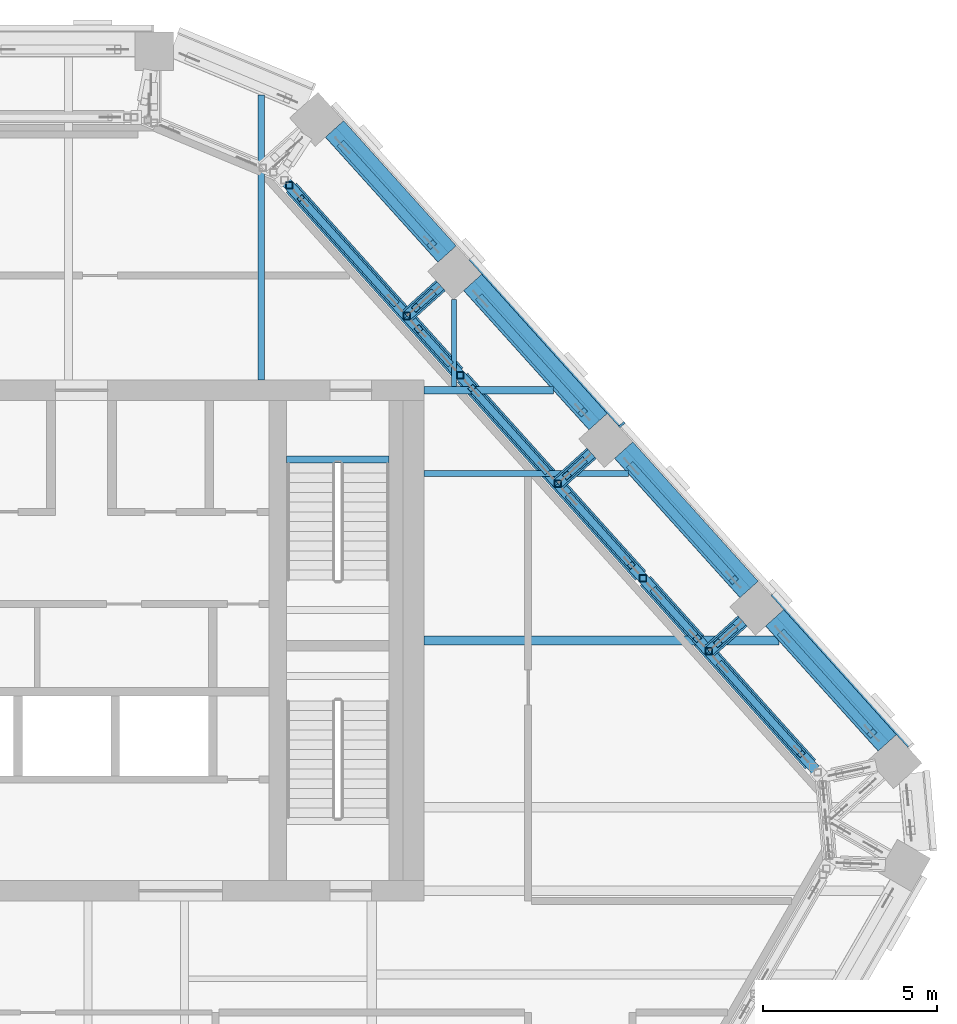
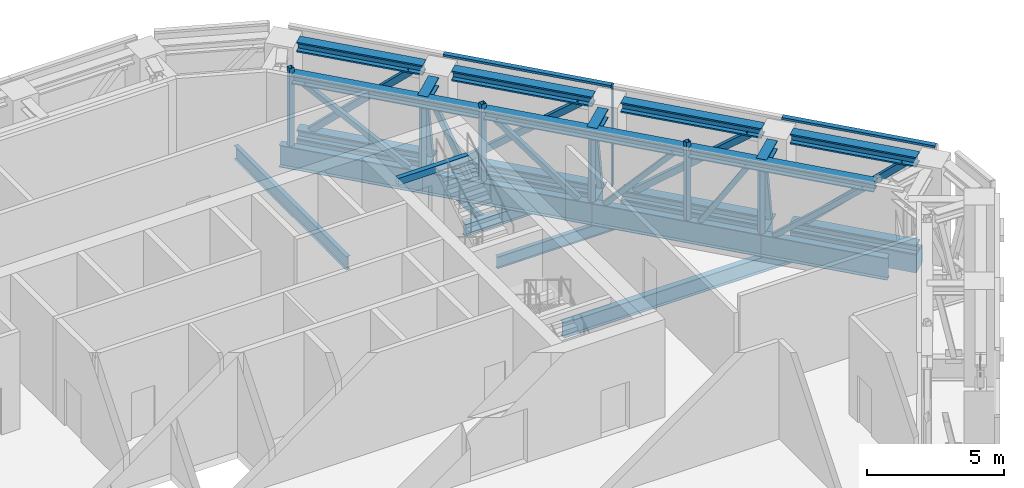
# One storey, part 14 of 25: 43 members, 10 beams, 1 element without a shape of its own.
"""IFC4 building model written with IfcOpenShell, lengths in metres."""

from ifc_helpers import new_model, si_unit, direction, frame, origin, origin_2d, place, context, subcontext, project, spatial, rectangle, hollow_rectangle, i_section, extrude, material, layer, layer_set, material_profile, profile_set, type_object, element, aggregate, save


model = new_model("IFC4")

# Units and contexts
model_context = context("Model", 3, precision=1e-05, world=origin(), true_north=direction((0.0, 1.0)))
body_context = subcontext(model_context, "Body", "Model", "MODEL_VIEW")
ifc_project = project(units=[si_unit("LENGTHUNIT", "METRE"), si_unit("AREAUNIT", "SQUARE_METRE"), si_unit("VOLUMEUNIT", "CUBIC_METRE"), si_unit("PLANEANGLEUNIT", "RADIAN"), si_unit("MASSUNIT", "GRAM", prefix="KILO")], contexts=[model_context])

# Site, building, storey
site_placement = place(None, origin())
site = spatial("IfcSite", under=ifc_project, at=site_placement, CompositionType="ELEMENT")
building_placement = place(site_placement, origin())
building = spatial("IfcBuilding", under=site, at=building_placement, Name="Isthmus Gate Tower", CompositionType="ELEMENT")
storey_placement = place(building_placement, frame((0.0, 0.0, 256.449951171875)))
storey = spatial("IfcBuildingStorey", under=building, at=storey_placement, Name="L65", CompositionType="ELEMENT", Elevation=256.449951171875)

# Members
ifc_material_1 = material(Name="Structural steel ASTM A913 Gr 65", Category="steel")
ifc_material_profile_1 = material_profile(ifc_material_1, i_section(OverallWidth=0.416015625, OverallDepth=0.444580078125, WebThickness=0.039794921875, FlangeThickness=0.0634765625, at=origin_2d()), Name="W14X342")
ifc_profile_set_1 = profile_set([ifc_material_profile_1], Name="Structural steel ASTM A913 Gr 65")
member_type_1 = type_object("IfcMemberType", Name="BELT TRUSS CHORD W14X342", PredefinedType="CHORD", material=ifc_profile_set_1)
for number, where, z_axis, x_axis, name in (
    (1, (12.31884765625, 22.11669921875, 0.222412109375), (0.66912629544, -0.743148707023, 0.0), (0.743148707023, 0.66912629544, 0.0), "str-belt01-L65-01"),
    (2, (12.31884765625, 22.11669921875, 4.127685546875), (0.66912629544, -0.743148707023, 0.0), (0.743148707023, 0.66912629544, 0.0), "str-belt01-L65-02"),
):
    element("IfcMember", number, at=place(storey_placement, frame(where, z_axis=z_axis, x_axis=x_axis)), inside=storey, type_object=member_type_1, Name=name, PredefinedType="CHORD", context=body_context, shape_type="SweptSolid", body=[
        extrude(i_section(OverallWidth=0.416015625, OverallDepth=0.444580078125, WebThickness=0.039794921875, FlangeThickness=0.0634765625, at=origin_2d()), origin(), (0.0, 0.0, 1.0), 4.841796875),
    ])
for number, where, z_axis, x_axis, name in (
    (3, (16.294677734375, 17.701171875, 0.222412109375), (0.669122314994, -0.743152290972, 0.0), (0.743152290972, 0.669122314994, 0.0), "str-belt02-L65-01"),
    (4, (16.294677734375, 17.701171875, 4.127685546875), (0.669122314994, -0.743152290972, 0.0), (0.743152290972, 0.669122314994, 0.0), "str-belt02-L65-02"),
):
    element("IfcMember", number, at=place(storey_placement, frame(where, z_axis=z_axis, x_axis=x_axis)), inside=storey, type_object=member_type_1, Name=name, PredefinedType="CHORD", context=body_context, shape_type="SweptSolid", body=[
        extrude(i_section(OverallWidth=0.416015625, OverallDepth=0.444580078125, WebThickness=0.039794921875, FlangeThickness=0.0634765625, at=origin_2d()), origin(), (0.0, 0.0, 1.0), 5.39208984375),
    ])
for number, where, z_axis, x_axis, name in (
    (5, (20.638671875, 12.876708984375, 0.222412109375), (0.669144830508, -0.743132017749, 0.0), (0.743132017749, 0.669144830508, 0.0), "str-belt03-L65-01"),
    (6, (20.638671875, 12.876708984375, 4.127685546875), (0.669144830508, -0.743132017749, 0.0), (0.743132017749, 0.669144830508, 0.0), "str-belt03-L65-02"),
):
    element("IfcMember", number, at=place(storey_placement, frame(where, z_axis=z_axis, x_axis=x_axis)), inside=storey, type_object=member_type_1, Name=name, PredefinedType="CHORD", context=body_context, shape_type="SweptSolid", body=[
        extrude(i_section(OverallWidth=0.416015625, OverallDepth=0.444580078125, WebThickness=0.039794921875, FlangeThickness=0.0634765625, at=origin_2d()), origin(), (0.0, 0.0, 1.0), 5.391845703125),
    ])
for number, where, z_axis, x_axis, name in (
    (7, (24.982666015625, 8.05224609375, 0.222412109375), (0.66912629544, -0.743148707023, 0.0), (0.743148707023, 0.66912629544, 0.0), "str-belt04-L65-01"),
    (8, (24.982666015625, 8.05224609375, 4.127685546875), (0.66912629544, -0.743148707023, 0.0), (0.743148707023, 0.66912629544, 0.0), "str-belt04-L65-02"),
):
    element("IfcMember", number, at=place(storey_placement, frame(where, z_axis=z_axis, x_axis=x_axis)), inside=storey, type_object=member_type_1, Name=name, PredefinedType="CHORD", context=body_context, shape_type="SweptSolid", body=[
        extrude(i_section(OverallWidth=0.416015625, OverallDepth=0.444580078125, WebThickness=0.039794921875, FlangeThickness=0.0634765625, at=origin_2d()), origin(), (0.0, 0.0, 1.0), 4.841796875),
    ])

# Curtain wall, members
ifc_material_2 = material(Name="Aluminium, pale champagne anodised", Category="aluminium")
ifc_layer = layer(ifc_material_2, 0.199951171875)
ifc_layer_set = layer_set([ifc_layer], Name="CW-2 LOUVRE CURTAIN WALL 200 DEEP")
curtain_wall_type = type_object("IfcCurtainWallType", Name="CW-2 LOUVRE CURTAIN WALL 200 DEEP", PredefinedType="NOTDEFINED", material=ifc_layer_set)
curtain_wall_placement = place(storey_placement, origin())
curtain_wall = element("IfcCurtainWall", 9, at=curtain_wall_placement, inside=storey, type_object=curtain_wall_type, Name="CW-2 NE L65", PredefinedType="NOTDEFINED")
ifc_material_3 = material(Name="Aluminium, pale champagne anodised", Category="aluminium")
ifc_material_profile_2 = material_profile(ifc_material_3, rectangle(XDim=0.06005859375, YDim=0.199951171875, at=origin_2d()), Name="60x200")
ifc_profile_set_2 = profile_set([ifc_material_profile_2], Name="Aluminium, pale champagne anodised")
member_type_2 = type_object("IfcMemberType", Name="CW-2 MULLION 60 X 200", PredefinedType="MULLION", material=ifc_profile_set_2)
member_1_placement = place(storey_placement, frame((20.696533203125, 13.709228515625, 0.0), z_axis=(0.0, 0.0, 1.0), x_axis=(-0.669130606359, 0.743144825477, 0.0)))
member_1 = element("IfcMember", 10, at=member_1_placement, type_object=member_type_2, Name="CW-2 mullion", PredefinedType="MULLION", context=body_context, shape_type="SweptSolid", body=[
    extrude(rectangle(XDim=0.06005859375, YDim=0.199951171875, at=origin_2d()), origin(), (0.0, 0.0, 1.0), 4.5),
])
ifc_material_4 = material(Name="Aluminium, pale champagne anodised", Category="aluminium")
ifc_material_profile_3 = material_profile(ifc_material_4, rectangle(XDim=0.199951171875, YDim=0.10009765625, at=origin_2d()), Name="200x100")
ifc_profile_set_3 = profile_set([ifc_material_profile_3], Name="Aluminium, pale champagne anodised")
member_type_3 = type_object("IfcMemberType", Name="CW-2 TRANSOM 200 X 100", PredefinedType="USERDEFINED", material=ifc_profile_set_3)
member_2_placement = place(storey_placement, frame((28.99609375, 4.491455078125, 4.449951171875), z_axis=(-0.669134411332, 0.743141399447, 0.0), x_axis=(-0.743141399447, -0.669134411332, 0.0)))
member_2 = element("IfcMember", 11, at=member_2_placement, type_object=member_type_3, Name="CW-2 transom", ObjectType="TRANSOM", PredefinedType="USERDEFINED", context=body_context, shape_type="SweptSolid", body=[
    extrude(rectangle(XDim=0.199951171875, YDim=0.10009765625, at=origin_2d()), origin(), (0.0, 0.0, 1.0), 5.8818359375),
])
member_3_placement = place(storey_placement, frame((20.67626953125, 13.7314453125, 4.449951171875), z_axis=(-0.669128292476, 0.7431469089, 0.0), x_axis=(-0.7431469089, -0.669128292476, 0.0)))
member_3 = element("IfcMember", 12, at=member_3_placement, type_object=member_type_3, Name="CW-2 transom", ObjectType="TRANSOM", PredefinedType="USERDEFINED", context=body_context, shape_type="SweptSolid", body=[
    extrude(rectangle(XDim=0.199951171875, YDim=0.10009765625, at=origin_2d()), origin(), (0.0, 0.0, 1.0), 6.431884765625),
])
aggregate(curtain_wall, [member_2, member_1, member_3])

# Beams
ifc_material_5 = material(Name="Concrete f'c 50 MPa", Category="concrete")
ifc_material_profile_4 = material_profile(ifc_material_5, rectangle(XDim=0.699951171875, YDim=0.800048828125, at=origin_2d()), Name="RC 700X800")
ifc_profile_set_4 = profile_set([ifc_material_profile_4], Name="Concrete f'c 50 MPa")
beam_type_1 = type_object("IfcBeamType", Name="RC SPANDREL 700 X 800", PredefinedType="SPANDREL", material=ifc_profile_set_4)
beam_1_placement = place(storey_placement, frame((12.43017578125, 22.21728515625, -0.39990234375), z_axis=(0.669129069044, -0.743146209679, 0.0), x_axis=(0.743146209679, 0.669129069044, 0.0)))
element("IfcBeam", 13, at=beam_1_placement, inside=storey, type_object=beam_type_1, Name="str-spandrel-L65-01", PredefinedType="SPANDREL", context=body_context, shape_type="SweptSolid", body=[
    extrude(rectangle(XDim=0.699951171875, YDim=0.800048828125, at=origin_2d()), origin(), (0.0, 0.0, 1.0), 4.842041015625),
])
beam_2_placement = place(storey_placement, frame((16.40625, 17.801513671875, -0.39990234375), z_axis=(0.669122314994, -0.743152290972, 0.0), x_axis=(0.743152290972, 0.669122314994, 0.0)))
element("IfcBeam", 14, at=beam_2_placement, inside=storey, type_object=beam_type_1, Name="str-spandrel-L65-02", PredefinedType="SPANDREL", context=body_context, shape_type="SweptSolid", body=[
    extrude(rectangle(XDim=0.699951171875, YDim=0.800048828125, at=origin_2d()), origin(), (0.0, 0.0, 1.0), 5.39208984375),
])
beam_3_placement = place(storey_placement, frame((20.75, 12.97705078125, -0.39990234375), z_axis=(0.669144830508, -0.743132017749, 0.0), x_axis=(0.743132017749, 0.669144830508, 0.0)))
element("IfcBeam", 15, at=beam_3_placement, inside=storey, type_object=beam_type_1, Name="str-spandrel-L65-03", PredefinedType="SPANDREL", context=body_context, shape_type="SweptSolid", body=[
    extrude(rectangle(XDim=0.699951171875, YDim=0.800048828125, at=origin_2d()), origin(), (0.0, 0.0, 1.0), 5.391845703125),
])
beam_4_placement = place(storey_placement, frame((25.093994140625, 8.152587890625, -0.39990234375), z_axis=(0.669154141686, -0.743123633499, 0.0), x_axis=(0.743123633499, 0.669154141686, 0.0)))
element("IfcBeam", 16, at=beam_4_placement, inside=storey, type_object=beam_type_1, Name="str-spandrel-L65-04", PredefinedType="SPANDREL", context=body_context, shape_type="SweptSolid", body=[
    extrude(rectangle(XDim=0.699951171875, YDim=0.800048828125, at=origin_2d()), origin(), (0.0, 0.0, 1.0), 4.842041015625),
])
ifc_material_6 = material(Name="Concrete f'c 40 MPa", Category="concrete")
ifc_material_profile_5 = material_profile(ifc_material_6, rectangle(XDim=0.199951171875, YDim=0.300048828125, at=origin_2d()), Name="STAIR LANDING BEAM RC 200 X 300")
ifc_profile_set_5 = profile_set([ifc_material_profile_5], Name="Concrete f'c 40 MPa")
beam_type_2 = type_object("IfcBeamType", Name="STAIR LANDING BEAM RC 200 X 300", PredefinedType="BEAM", material=ifc_profile_set_5)
beam_5_placement = place(storey_placement, frame((11.050048828125, 12.7001953125, 4.199951171875), z_axis=(1.0, 0.0, 0.0), x_axis=(0.0, 1.0, 0.0)))
element("IfcBeam", 17, at=beam_5_placement, inside=storey, type_object=beam_type_2, Name="L65 ST2 floor-edge seat beam", PredefinedType="BEAM", context=body_context, shape_type="SweptSolid", body=[
    extrude(rectangle(XDim=0.199951171875, YDim=0.300048828125, at=origin_2d()), origin(), (0.0, 0.0, 1.0), 2.949951171875),
])
ifc_material_7 = material(Name="Structural steel ASTM A992 Gr 50", Category="steel")
ifc_material_profile_6 = material_profile(ifc_material_7, i_section(OverallWidth=0.1396484375, OverallDepth=0.4033203125, WebThickness=0.00634765625, FlangeThickness=0.010986328125, at=origin_2d()), Name="W16X31")
ifc_profile_set_6 = profile_set([ifc_material_profile_6], Name="Structural steel ASTM A992 Gr 50")
beam_type_3 = type_object("IfcBeamType", Name="STEEL FLOOR BEAM W16X31", PredefinedType="JOIST", material=ifc_profile_set_6)
beam_6_placement = place(storey_placement, frame((15.862060546875, 14.8046875, -0.50146484375), z_axis=(0.0, 1.0, 0.0), x_axis=(-1.0, 0.0, 0.0)))
element("IfcBeam", 18, at=beam_6_placement, inside=storey, type_object=beam_type_3, Name="str-beam-L65-05-06", PredefinedType="JOIST", context=body_context, shape_type="SweptSolid", body=[
    extrude(i_section(OverallWidth=0.1396484375, OverallDepth=0.4033203125, WebThickness=0.00634765625, FlangeThickness=0.010986328125, at=origin_2d()), origin(), (0.0, 0.0, 1.0), 2.5068359375),
])
ifc_material_8 = material(Name="Structural steel ASTM A992 Gr 50", Category="steel")
ifc_material_profile_7 = material_profile(ifc_material_8, i_section(OverallWidth=0.1650390625, OverallDepth=0.52392578125, WebThickness=0.009521484375, FlangeThickness=0.010986328125, at=origin_2d()), Name="W21X44")
ifc_profile_set_7 = profile_set([ifc_material_profile_7], Name="Structural steel ASTM A992 Gr 50")
beam_type_4 = type_object("IfcBeamType", Name="STEEL FLOOR BEAM W21X44", PredefinedType="JOIST", material=ifc_profile_set_7)
beam_7_placement = place(storey_placement, frame((15.0, 12.300048828125, -0.56201171875), z_axis=(1.0, 0.0, 0.0), x_axis=(0.0, 1.0, 0.0)))
element("IfcBeam", 19, at=beam_7_placement, inside=storey, type_object=beam_type_4, Name="str-beam-L65-13-02", PredefinedType="JOIST", context=body_context, shape_type="SweptSolid", body=[
    extrude(i_section(OverallWidth=0.1650390625, OverallDepth=0.52392578125, WebThickness=0.009521484375, FlangeThickness=0.010986328125, at=origin_2d()), origin(), (0.0, 0.0, 1.0), 5.888671875),
])
ifc_material_9 = material(Name="Structural steel ASTM A992 Gr 50", Category="steel")
ifc_material_profile_8 = material_profile(ifc_material_9, i_section(OverallWidth=0.177734375, OverallDepth=0.60009765625, WebThickness=0.009521484375, FlangeThickness=0.0126953125, at=origin_2d()), Name="W24X55")
ifc_profile_set_8 = profile_set([ifc_material_profile_8], Name="Structural steel ASTM A992 Gr 50")
beam_type_5 = type_object("IfcBeamType", Name="STEEL FLOOR BEAM W24X55", PredefinedType="JOIST", material=ifc_profile_set_8)
beam_8_placement = place(storey_placement, frame((10.3193359375, 15.0, -0.60009765625), z_axis=(0.0, 1.0, 0.0), x_axis=(-1.0, 0.0, 0.0)))
element("IfcBeam", 20, at=beam_8_placement, inside=storey, type_object=beam_type_5, Name="str-beam-L65-05-05", PredefinedType="JOIST", context=body_context, shape_type="SweptSolid", body=[
    extrude(i_section(OverallWidth=0.177734375, OverallDepth=0.60009765625, WebThickness=0.009521484375, FlangeThickness=0.0126953125, at=origin_2d()), origin(), (0.0, 0.0, 1.0), 8.190673828125),
])
ifc_material_10 = material(Name="Structural steel ASTM A992 Gr 50", Category="steel")
ifc_material_profile_9 = material_profile(ifc_material_10, i_section(OverallWidth=0.25390625, OverallDepth=0.679443359375, WebThickness=0.010986328125, FlangeThickness=0.015869140625, at=origin_2d()), Name="W27X84")
ifc_profile_set_9 = profile_set([ifc_material_profile_9], Name="Structural steel ASTM A992 Gr 50")
beam_type_6 = type_object("IfcBeamType", Name="STEEL FLOOR BEAM W27X84", PredefinedType="JOIST", material=ifc_profile_set_9)
beam_9_placement = place(storey_placement, frame((15.0, 7.5, -0.6396484375), z_axis=(1.0, 0.0, 0.0), x_axis=(0.0, 1.0, 0.0)))
element("IfcBeam", 21, at=beam_9_placement, inside=storey, type_object=beam_type_6, Name="str-beam-L65-13-01", PredefinedType="JOIST", context=body_context, shape_type="SweptSolid", body=[
    extrude(i_section(OverallWidth=0.25390625, OverallDepth=0.679443359375, WebThickness=0.010986328125, FlangeThickness=0.015869140625, at=origin_2d()), origin(), (0.0, 0.0, 1.0), 10.210693359375),
])
ifc_material_11 = material(Name="Structural steel ASTM A992 Gr 50", Category="steel")
ifc_material_profile_10 = material_profile(ifc_material_11, i_section(OverallWidth=0.20947265625, OverallDepth=0.533447265625, WebThickness=0.009521484375, FlangeThickness=0.015869140625, at=origin_2d()), Name="W21X62")
ifc_profile_set_10 = profile_set([ifc_material_profile_10], Name="Structural steel ASTM A992 Gr 50")
beam_type_7 = type_object("IfcBeamType", Name="STEEL GIRDER W21X62", PredefinedType="BEAM", material=ifc_profile_set_10)
beam_10_placement = place(storey_placement, frame((15.0, 14.699951171875, -0.566650390625), z_axis=(1.0, 0.0, 0.0), x_axis=(0.0, 1.0, 0.0)))
element("IfcBeam", 22, at=beam_10_placement, inside=storey, type_object=beam_type_7, Name="str-girder-L65-12", PredefinedType="BEAM", context=body_context, shape_type="SweptSolid", body=[
    extrude(i_section(OverallWidth=0.20947265625, OverallDepth=0.533447265625, WebThickness=0.009521484375, FlangeThickness=0.015869140625, at=origin_2d()), origin(), (0.0, 0.0, 1.0), 3.727783203125),
])

# Members
ifc_material_12 = material(Name="Structural steel ASTM A913 Gr 65", Category="steel")
ifc_material_profile_11 = material_profile(ifc_material_12, i_section(OverallWidth=0.4033203125, OverallDepth=0.406494140625, WebThickness=0.027099609375, FlangeThickness=0.04443359375, at=origin_2d()), Name="W14X233")
ifc_profile_set_11 = profile_set([ifc_material_profile_11], Name="Structural steel ASTM A913 Gr 65")
member_type_4 = type_object("IfcMemberType", Name="TRANSFER TRUSS CHORD W14X233", PredefinedType="CHORD", material=ifc_profile_set_11)
member_4_placement = place(storey_placement, frame((11.19189453125, 20.51953125, 4.046875), z_axis=(0.669115598765, -0.743158338101, 0.0), x_axis=(0.743158338101, 0.669115598765, 0.0)))
element("IfcMember", 23, at=member_4_placement, inside=storey, type_object=member_type_4, Name="str-ring01-L65-15", PredefinedType="CHORD", context=body_context, shape_type="SweptSolid", body=[
    extrude(i_section(OverallWidth=0.4033203125, OverallDepth=0.406494140625, WebThickness=0.027099609375, FlangeThickness=0.04443359375, at=origin_2d()), origin(), (0.0, 0.0, 1.0), 7.15185546875),
])
member_5_placement = place(storey_placement, frame((16.11328125, 15.0537109375, 4.046875), z_axis=(0.669119800207, -0.743154555238, 0.0), x_axis=(0.743154555238, 0.669119800207, 0.0)))
element("IfcMember", 24, at=member_5_placement, inside=storey, type_object=member_type_4, Name="str-ring01-L65-16", PredefinedType="CHORD", context=body_context, shape_type="SweptSolid", body=[
    extrude(i_section(OverallWidth=0.4033203125, OverallDepth=0.406494140625, WebThickness=0.027099609375, FlangeThickness=0.04443359375, at=origin_2d()), origin(), (0.0, 0.0, 1.0), 7.65380859375),
])
member_6_placement = place(storey_placement, frame((21.37060546875, 9.21484375, 4.046875), z_axis=(0.669124209176, -0.743150585477, 0.0), x_axis=(0.743150585477, 0.669124209176, 0.0)))
element("IfcMember", 25, at=member_6_placement, inside=storey, type_object=member_type_4, Name="str-ring01-L65-17", PredefinedType="CHORD", context=body_context, shape_type="SweptSolid", body=[
    extrude(i_section(OverallWidth=0.4033203125, OverallDepth=0.406494140625, WebThickness=0.027099609375, FlangeThickness=0.04443359375, at=origin_2d()), origin(), (0.0, 0.0, 1.0), 7.10400390625),
])
for number, where, z_axis, x_axis, name in (
    (26, (24.168701171875, 8.0595703125, 4.046875), (-0.743229095461, -0.669037003206, 0.0), (0.669037003206, -0.743229095461, 0.0), "str-link26-L65-02"),
    (27, (19.82470703125, 12.884033203125, 4.046875), (-0.743052490275, -0.669233140763, 0.0), (0.669233140763, -0.743052490275, 0.0), "str-link27-L65-02"),
):
    element("IfcMember", number, at=place(storey_placement, frame(where, z_axis=z_axis, x_axis=x_axis)), inside=storey, type_object=member_type_4, Name=name, PredefinedType="CHORD", context=body_context, shape_type="SweptSolid", body=[
        extrude(i_section(OverallWidth=0.4033203125, OverallDepth=0.406494140625, WebThickness=0.027099609375, FlangeThickness=0.04443359375, at=origin_2d()), origin(), (0.0, 0.0, 1.0), 1.306396484375),
    ])
member_7_placement = place(storey_placement, frame((15.480712890625, 17.708251953125, 4.046875), z_axis=(-0.743145427753, -0.669129937464, 0.0), x_axis=(0.669129937464, -0.743145427753, 0.0)))
element("IfcMember", 28, at=member_7_placement, inside=storey, type_object=member_type_4, Name="str-link28-L65-02", PredefinedType="CHORD", context=body_context, shape_type="SweptSolid", body=[
    extrude(i_section(OverallWidth=0.4033203125, OverallDepth=0.406494140625, WebThickness=0.027099609375, FlangeThickness=0.04443359375, at=origin_2d()), origin(), (0.0, 0.0, 1.0), 1.30615234375),
])
ifc_material_13 = material(Name="Structural steel ASTM A913 Gr 65", Category="steel")
ifc_material_profile_12 = material_profile(ifc_material_13, i_section(OverallWidth=0.29833984375, OverallDepth=0.981201171875, WebThickness=0.015869140625, FlangeThickness=0.025390625, at=origin_2d()), Name="W40X167")
ifc_profile_set_12 = profile_set([ifc_material_profile_12], Name="Structural steel ASTM A913 Gr 65")
member_type_5 = type_object("IfcMemberType", Name="TRANSFER TRUSS CHORD W40X167", PredefinedType="CHORD", material=ifc_profile_set_12)
member_8_placement = place(storey_placement, frame((10.856201171875, 20.892333984375, 0.490478515625), z_axis=(0.66912032479, -0.743154082915, 0.0), x_axis=(0.743154082915, 0.66912032479, 0.0)))
element("IfcMember", 29, at=member_8_placement, inside=storey, type_object=member_type_5, Name="str-ring01-L65-10", PredefinedType="CHORD", context=body_context, shape_type="SweptSolid", body=[
    extrude(i_section(OverallWidth=0.29833984375, OverallDepth=0.981201171875, WebThickness=0.015869140625, FlangeThickness=0.025390625, at=origin_2d()), origin(), (0.0, 0.0, 1.0), 5.4609375),
])
member_9_placement = place(storey_placement, frame((14.51025390625, 16.833984375, 0.490478515625), z_axis=(0.669147574296, -0.743129547127, 0.0), x_axis=(0.743129547127, 0.669147574296, 0.0)))
element("IfcMember", 30, at=member_9_placement, inside=storey, type_object=member_type_5, Name="str-ring01-L65-11", PredefinedType="CHORD", context=body_context, shape_type="SweptSolid", body=[
    extrude(i_section(OverallWidth=0.29833984375, OverallDepth=0.981201171875, WebThickness=0.015869140625, FlangeThickness=0.025390625, at=origin_2d()), origin(), (0.0, 0.0, 1.0), 6.4912109375),
])
member_10_placement = place(storey_placement, frame((18.853759765625, 12.01025390625, 0.490478515625), z_axis=(0.669133008897, -0.743142662216, 0.0), x_axis=(0.743142662216, 0.669133008897, 0.0)))
element("IfcMember", 31, at=member_10_placement, inside=storey, type_object=member_type_5, Name="str-ring01-L65-12", PredefinedType="CHORD", context=body_context, shape_type="SweptSolid", body=[
    extrude(i_section(OverallWidth=0.29833984375, OverallDepth=0.981201171875, WebThickness=0.015869140625, FlangeThickness=0.025390625, at=origin_2d()), origin(), (0.0, 0.0, 1.0), 6.491943359375),
])
member_11_placement = place(storey_placement, frame((23.19775390625, 7.185791015625, 0.490478515625), z_axis=(0.669127961903, -0.743147206547, 0.0), x_axis=(0.743147206547, 0.669127961903, 0.0)))
element("IfcMember", 32, at=member_11_placement, inside=storey, type_object=member_type_5, Name="str-ring01-L65-13", PredefinedType="CHORD", context=body_context, shape_type="SweptSolid", body=[
    extrude(i_section(OverallWidth=0.29833984375, OverallDepth=0.981201171875, WebThickness=0.015869140625, FlangeThickness=0.025390625, at=origin_2d()), origin(), (0.0, 0.0, 1.0), 4.875),
])
for number, where, z_axis, x_axis, name in (
    (33, (24.168701171875, 8.0595703125, 0.490478515625), (-0.743229095461, -0.669037003206, 0.0), (0.669037003206, -0.743229095461, 0.0), "str-link26-L65-01"),
    (34, (19.82470703125, 12.884033203125, 0.490478515625), (-0.743052490275, -0.669233140763, 0.0), (0.669233140763, -0.743052490275, 0.0), "str-link27-L65-01"),
):
    element("IfcMember", number, at=place(storey_placement, frame(where, z_axis=z_axis, x_axis=x_axis)), inside=storey, type_object=member_type_5, Name=name, PredefinedType="CHORD", context=body_context, shape_type="SweptSolid", body=[
        extrude(i_section(OverallWidth=0.29833984375, OverallDepth=0.981201171875, WebThickness=0.015869140625, FlangeThickness=0.025390625, at=origin_2d()), origin(), (0.0, 0.0, 1.0), 1.306396484375),
    ])
member_12_placement = place(storey_placement, frame((15.480712890625, 17.708251953125, 0.490478515625), z_axis=(-0.743145427753, -0.669129937464, 0.0), x_axis=(0.669129937464, -0.743145427753, 0.0)))
element("IfcMember", 35, at=member_12_placement, inside=storey, type_object=member_type_5, Name="str-link28-L65-01", PredefinedType="CHORD", context=body_context, shape_type="SweptSolid", body=[
    extrude(i_section(OverallWidth=0.29833984375, OverallDepth=0.981201171875, WebThickness=0.015869140625, FlangeThickness=0.025390625, at=origin_2d()), origin(), (0.0, 0.0, 1.0), 1.30615234375),
])
ifc_material_14 = material(Name="Structural steel ASTM A500 Gr C", Category="steel")
ifc_material_profile_13 = material_profile(ifc_material_14, hollow_rectangle(XDim=0.203125, YDim=0.203125, WallThickness=0.01171875, at=origin_2d()), Name="HSS8X8X1/2")
ifc_profile_set_13 = profile_set([ifc_material_profile_13], Name="Structural steel ASTM A500 Gr C")
member_type_6 = type_object("IfcMemberType", Name="TRANSFER TRUSS DIAGONAL HSS8X8X1/2", PredefinedType="BRACE", material=ifc_profile_set_13)
member_13_placement = place(storey_placement, frame((14.17578125, 17.20556640625, 0.981201171875), z_axis=(-0.54691267084, 0.607402293284, 0.576150140665), x_axis=(-0.743141668277, -0.669134112768, 0.0)))
element("IfcMember", 36, at=member_13_placement, inside=storey, type_object=member_type_6, Name="str-ring01-L65-19", PredefinedType="BRACE", context=body_context, shape_type="SweptSolid", body=[
    extrude(hollow_rectangle(XDim=0.203125, YDim=0.203125, WallThickness=0.01171875, at=origin_2d()), origin(), (0.0, 0.0, 1.0), 4.968505859375),
])
member_14_placement = place(storey_placement, frame((15.710693359375, 15.500732421875, 0.981201171875), z_axis=(-0.27558391061, 0.306126628283, 0.911229935674), x_axis=(-0.743209703513, -0.669058544975, 0.0)))
element("IfcMember", 37, at=member_14_placement, inside=storey, type_object=member_type_6, Name="str-ring01-L65-20", PredefinedType="BRACE", context=body_context, shape_type="SweptSolid", body=[
    extrude(hollow_rectangle(XDim=0.203125, YDim=0.203125, WallThickness=0.01171875, at=origin_2d()), origin(), (0.0, 0.0, 1.0), 3.141357421875),
])
member_15_placement = place(storey_placement, frame((18.51904296875, 12.3818359375, 0.981201171875), z_axis=(-0.498500656881, 0.553630437356, 0.66707603309), x_axis=(-0.743138436359, -0.669137702125, 0.0)))
element("IfcMember", 38, at=member_15_placement, inside=storey, type_object=member_type_6, Name="str-ring01-L65-21", PredefinedType="BRACE", context=body_context, shape_type="SweptSolid", body=[
    extrude(hollow_rectangle(XDim=0.203125, YDim=0.203125, WallThickness=0.01171875, at=origin_2d()), origin(), (0.0, 0.0, 1.0), 4.291259765625),
])
member_16_placement = place(storey_placement, frame((19.188232421875, 11.638671875, 0.981201171875), z_axis=(0.455463895685, -0.505883561504, 0.732553385036), x_axis=(0.7431709105, 0.66910163487, 0.0)))
element("IfcMember", 39, at=member_16_placement, inside=storey, type_object=member_type_6, Name="str-ring01-L65-22", PredefinedType="BRACE", context=body_context, shape_type="SweptSolid", body=[
    extrude(hollow_rectangle(XDim=0.203125, YDim=0.203125, WallThickness=0.01171875, at=origin_2d()), origin(), (0.0, 0.0, 1.0), 3.90771484375),
])
member_17_placement = place(storey_placement, frame((21.63720703125, 8.918701171875, 0.981201171875), z_axis=(0.360693373586, -0.400562886102, 0.84228834999), x_axis=(0.743121825856, 0.669156149143, 0.0)))
element("IfcMember", 40, at=member_17_placement, inside=storey, type_object=member_type_6, Name="str-ring01-L65-23", PredefinedType="BRACE", context=body_context, shape_type="SweptSolid", body=[
    extrude(hollow_rectangle(XDim=0.203125, YDim=0.203125, WallThickness=0.01171875, at=origin_2d()), origin(), (0.0, 0.0, 1.0), 3.3984375),
])
member_18_placement = place(storey_placement, frame((23.5322265625, 6.814208984375, 0.981201171875), z_axis=(0.516453485589, -0.573608249744, 0.635806081324), x_axis=(0.743161383883, 0.669112215929, 0.0)))
element("IfcMember", 41, at=member_18_placement, inside=storey, type_object=member_type_6, Name="str-ring01-L65-24", PredefinedType="BRACE", context=body_context, shape_type="SweptSolid", body=[
    extrude(hollow_rectangle(XDim=0.203125, YDim=0.203125, WallThickness=0.01171875, at=origin_2d()), origin(), (0.0, 0.0, 1.0), 4.502197265625),
])
for number, where, z_axis, x_axis, name in (
    (42, (23.90625, 7.8232421875, 0.981201171875), (-0.152506357304, -0.137230679479, 0.978728538253), (0.668897291549, -0.743354836776, 0.0), "str-link26-L65-03"),
    (43, (19.562255859375, 12.647705078125, 0.981201171875), (-0.15242307695, -0.137314327263, 0.978729779429), (0.669324329846, -0.742970350334, 0.0), "str-link27-L65-03"),
    (44, (15.21826171875, 17.47216796875, 0.981201171875), (-0.15242307695, -0.137314327263, 0.978729779429), (0.669324329846, -0.742970350334, 0.0), "str-link28-L65-03"),
):
    element("IfcMember", number, at=place(storey_placement, frame(where, z_axis=z_axis, x_axis=x_axis)), inside=storey, type_object=member_type_6, Name=name, PredefinedType="BRACE", context=body_context, shape_type="SweptSolid", body=[
        extrude(hollow_rectangle(XDim=0.203125, YDim=0.203125, WallThickness=0.01171875, at=origin_2d()), origin(), (0.0, 0.0, 1.0), 2.9248046875),
    ])
ifc_material_15 = material(Name="Structural steel ASTM A500 Gr C", Category="steel")
ifc_material_profile_14 = material_profile(ifc_material_15, hollow_rectangle(XDim=0.203125, YDim=0.203125, WallThickness=0.01171875, at=origin_2d()), Name="HSS8X8X1/2")
ifc_profile_set_14 = profile_set([ifc_material_profile_14], Name="Structural steel ASTM A500 Gr C")
member_type_7 = type_object("IfcMemberType", Name="TRANSFER TRUSS POST HSS8X8X1/2", PredefinedType="POST", material=ifc_profile_set_14)
member_19_placement = place(storey_placement, frame((11.123779296875, 20.594970703125, 0.981201171875), z_axis=(0.0, 0.0, 1.0), x_axis=(1.0, 0.0, 0.0)))
element("IfcMember", 45, at=member_19_placement, inside=storey, type_object=member_type_7, Name="str-ring01-L65-02", PredefinedType="POST", context=body_context, shape_type="SweptSolid", body=[
    extrude(hollow_rectangle(XDim=0.203125, YDim=0.203125, WallThickness=0.01171875, at=origin_2d()), origin(), (0.0, 0.0, 1.0), 3.46875),
])
member_20_placement = place(storey_placement, frame((14.51025390625, 16.833984375, 0.981201171875), z_axis=(0.0, 0.0, 1.0), x_axis=(1.0, 0.0, 0.0)))
element("IfcMember", 46, at=member_20_placement, inside=storey, type_object=member_type_7, Name="str-ring01-L65-03", PredefinedType="POST", context=body_context, shape_type="SweptSolid", body=[
    extrude(hollow_rectangle(XDim=0.203125, YDim=0.203125, WallThickness=0.01171875, at=origin_2d()), origin(), (0.0, 0.0, 1.0), 2.862548828125),
])
member_21_placement = place(storey_placement, frame((16.04541015625, 15.129150390625, 0.981201171875), z_axis=(0.0, 0.0, 1.0), x_axis=(1.0, 0.0, 0.0)))
element("IfcMember", 47, at=member_21_placement, inside=storey, type_object=member_type_7, Name="str-ring01-L65-04", PredefinedType="POST", context=body_context, shape_type="SweptSolid", body=[
    extrude(hollow_rectangle(XDim=0.203125, YDim=0.203125, WallThickness=0.01171875, at=origin_2d()), origin(), (0.0, 0.0, 1.0), 3.46875),
])
member_22_placement = place(storey_placement, frame((18.853759765625, 12.01025390625, 0.981201171875), z_axis=(0.0, 0.0, 1.0), x_axis=(1.0, 0.0, 0.0)))
element("IfcMember", 48, at=member_22_placement, inside=storey, type_object=member_type_7, Name="str-ring01-L65-05", PredefinedType="POST", context=body_context, shape_type="SweptSolid", body=[
    extrude(hollow_rectangle(XDim=0.203125, YDim=0.203125, WallThickness=0.01171875, at=origin_2d()), origin(), (0.0, 0.0, 1.0), 2.862548828125),
])
member_23_placement = place(storey_placement, frame((21.302734375, 9.290283203125, 0.981201171875), z_axis=(0.0, 0.0, 1.0), x_axis=(1.0, 0.0, 0.0)))
element("IfcMember", 49, at=member_23_placement, inside=storey, type_object=member_type_7, Name="str-ring01-L65-06", PredefinedType="POST", context=body_context, shape_type="SweptSolid", body=[
    extrude(hollow_rectangle(XDim=0.203125, YDim=0.203125, WallThickness=0.01171875, at=origin_2d()), origin(), (0.0, 0.0, 1.0), 3.46875),
])
member_24_placement = place(storey_placement, frame((23.19775390625, 7.185791015625, 0.981201171875), z_axis=(0.0, 0.0, 1.0), x_axis=(1.0, 0.0, 0.0)))
element("IfcMember", 50, at=member_24_placement, inside=storey, type_object=member_type_7, Name="str-ring01-L65-07", PredefinedType="POST", context=body_context, shape_type="SweptSolid", body=[
    extrude(hollow_rectangle(XDim=0.203125, YDim=0.203125, WallThickness=0.01171875, at=origin_2d()), origin(), (0.0, 0.0, 1.0), 2.862548828125),
])
ifc_material_16 = material(Name="Structural steel ASTM A500 Gr C", Category="steel")
ifc_material_profile_15 = material_profile(ifc_material_16, hollow_rectangle(XDim=0.25390625, YDim=0.25390625, WallThickness=0.01171875, at=origin_2d()), Name="HSS10X10X1/2")
ifc_profile_set_15 = profile_set([ifc_material_profile_15], Name="Structural steel ASTM A500 Gr C")
member_type_8 = type_object("IfcMemberType", Name="TRUSS DIAGONAL HSS10X10X1/2", PredefinedType="BRACE", material=ifc_profile_set_15)
member_25_placement = place(storey_placement, frame((12.6533203125, 21.7451171875, 0.444580078125), z_axis=(0.497168739178, -0.552126423167, 0.669312824937), x_axis=(0.743123491988, 0.66915429884, 0.0)))
element("IfcMember", 51, at=member_25_placement, inside=storey, type_object=member_type_8, Name="str-belt01-L65-03", PredefinedType="BRACE", context=body_context, shape_type="SweptSolid", body=[
    extrude(hollow_rectangle(XDim=0.25390625, YDim=0.25390625, WallThickness=0.01171875, at=origin_2d()), origin(), (0.0, 0.0, 1.0), 5.1708984375),
])
for number, where, z_axis, x_axis, name in (
    (52, (16.62939453125, 17.32958984375, 0.444580078125), (0.525548758599, -0.583705354632, 0.618939868896), (0.743158692352, 0.669115205314, 0.0), "str-belt02-L65-03"),
    (53, (20.97314453125, 12.505126953125, 0.444580078125), (0.525548758599, -0.583705354632, 0.618939868896), (0.743158692352, 0.669115205314, 0.0), "str-belt03-L65-03"),
):
    element("IfcMember", number, at=place(storey_placement, frame(where, z_axis=z_axis, x_axis=x_axis)), inside=storey, type_object=member_type_8, Name=name, PredefinedType="BRACE", context=body_context, shape_type="SweptSolid", body=[
        extrude(hollow_rectangle(XDim=0.25390625, YDim=0.25390625, WallThickness=0.01171875, at=origin_2d()), origin(), (0.0, 0.0, 1.0), 5.591796875),
    ])
member_26_placement = place(storey_placement, frame((25.317138671875, 7.6806640625, 0.444580078125), z_axis=(0.497168739178, -0.552126423167, 0.669312824937), x_axis=(0.743123491988, 0.66915429884, 0.0)))
element("IfcMember", 54, at=member_26_placement, inside=storey, type_object=member_type_8, Name="str-belt04-L65-03", PredefinedType="BRACE", context=body_context, shape_type="SweptSolid", body=[
    extrude(hollow_rectangle(XDim=0.25390625, YDim=0.25390625, WallThickness=0.01171875, at=origin_2d()), origin(), (0.0, 0.0, 1.0), 5.1708984375),
])

save(model, "model.ifc")
